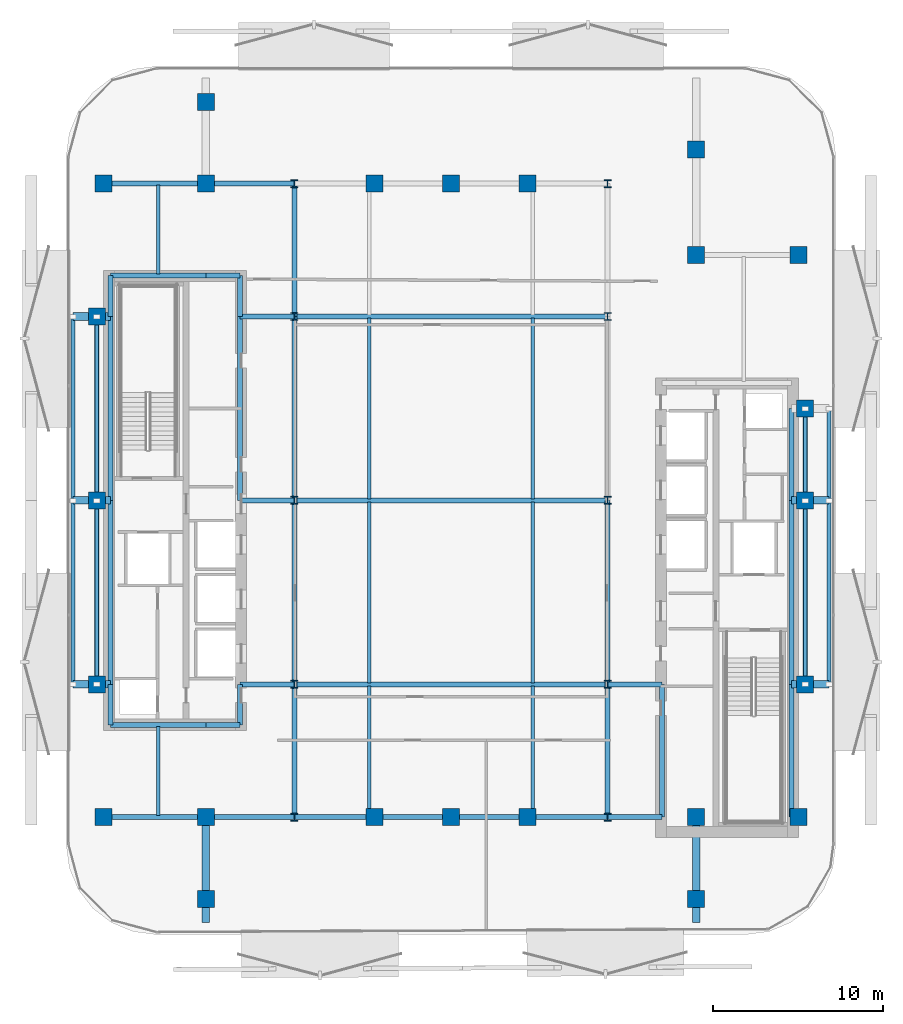
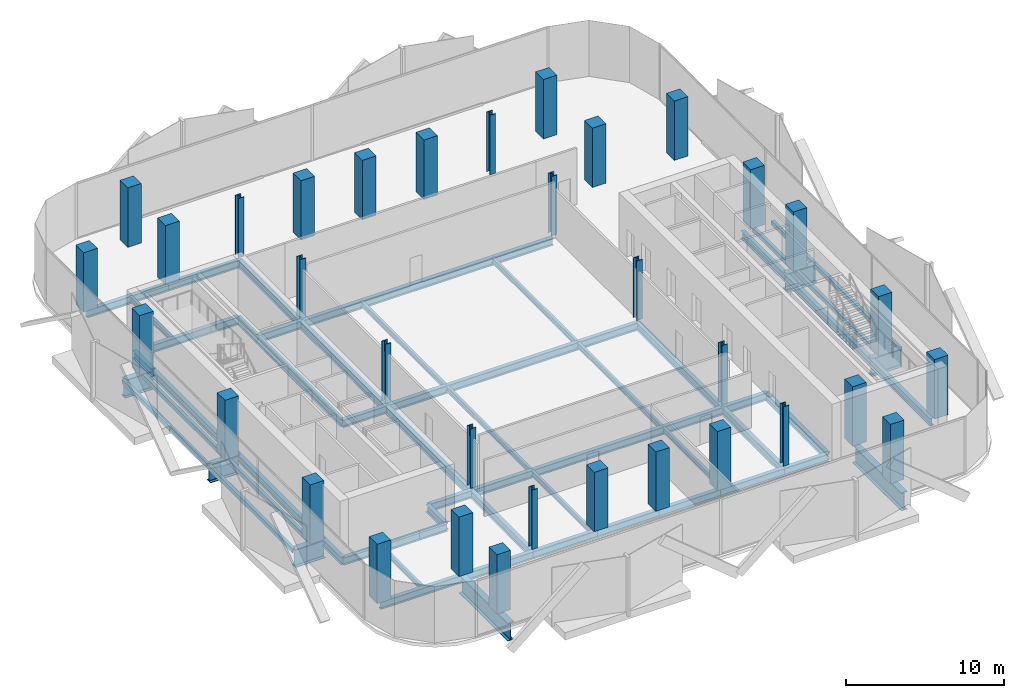
# One storey, part 1 of 14: 60 beams, 34 columns.
"""IFC4 building model written with IfcOpenShell, lengths in metres."""

from ifc_helpers import new_model, si_unit, direction, frame, origin, origin_2d, place, context, subcontext, project, spatial, rectangle, hollow_rectangle, i_section, extrude, material, material_profile, profile_set, type_object, element, save


model = new_model("IFC4")

# Units and contexts
model_context = context("Model", 3, precision=1e-05, world=origin(), true_north=direction((0.0, 1.0)))
body_context = subcontext(model_context, "Body", "Model", "MODEL_VIEW")
ifc_project = project(units=[si_unit("LENGTHUNIT", "METRE"), si_unit("AREAUNIT", "SQUARE_METRE"), si_unit("VOLUMEUNIT", "CUBIC_METRE"), si_unit("PLANEANGLEUNIT", "RADIAN"), si_unit("MASSUNIT", "GRAM", prefix="KILO")], contexts=[model_context])

# Site, building, storey
site_placement = place(None, origin())
site = spatial("IfcSite", under=ifc_project, at=site_placement, CompositionType="ELEMENT")
building_placement = place(site_placement, origin())
building = spatial("IfcBuilding", under=site, at=building_placement, Name="Khairoan Windgate Tower", CompositionType="ELEMENT")
storey_placement = place(building_placement, frame((0.0, 0.0, 160.39990234375)))
storey = spatial("IfcBuildingStorey", under=building, at=storey_placement, Name="L36", CompositionType="ELEMENT", Elevation=160.39990234375)

# Columns
ifc_material_1 = material(Name="Concrete C50/60", Category="concrete")
ifc_material_profile_1 = material_profile(ifc_material_1, rectangle(XDim=1.0, YDim=1.0, at=origin_2d()))
ifc_profile_set_1 = profile_set([ifc_material_profile_1], Name="Concrete C50/60")
column_type_1 = type_object("IfcColumnType", Name="Column C-T4 RC1000x1000", PredefinedType="COLUMN", material=ifc_profile_set_1)
for number, where, z_axis, x_axis, name in (
    (1, (-20.39990234375, -18.60009765625, 0.0), (0.0, 0.0, 1.0), (1.0, 0.0, 0.0), "Column L36-11"),
    (2, (-20.39990234375, 18.60009765625, 0.0), (0.0, 0.0, 1.0), (1.0, 0.0, 0.0), "Column L36-12"),
    (3, (20.39990234375, -18.60009765625, 0.0), (0.0, 0.0, 1.0), (1.0, 0.0, 0.0), "Column L36-13"),
    (4, (20.39990234375, 14.39990234375, 0.0), (0.0, 0.0, 1.0), (1.0, 0.0, 0.0), "Column L36-14"),
    (5, (-14.39990234375, -18.60009765625, 0.0), (0.0, 0.0, 1.0), (1.0, 0.0, 0.0), "Column L36-15"),
    (6, (-14.39990234375, 18.60009765625, 0.0), (0.0, 0.0, 1.0), (1.0, 0.0, 0.0), "Column L36-16"),
    (7, (14.39990234375, -18.60009765625, 0.0), (0.0, 0.0, 1.0), (1.0, 0.0, 0.0), "Column L36-17"),
    (8, (14.39990234375, 14.39990234375, 0.0), (0.0, 0.0, 1.0), (1.0, 0.0, 0.0), "Column L36-18"),
    (9, (-4.5, -18.60009765625, 0.0), (0.0, 0.0, 1.0), (1.0, 0.0, 0.0), "Column L36-19"),
    (10, (0.0, -18.60009765625, 0.0), (0.0, 0.0, 1.0), (1.0, 0.0, 0.0), "Column L36-20"),
    (11, (4.5, -18.60009765625, 0.0), (0.0, 0.0, 1.0), (1.0, 0.0, 0.0), "Column L36-21"),
    (12, (-4.5, 18.60009765625, 0.0), (0.0, 0.0, 1.0), (1.0, 0.0, 0.0), "Column L36-22"),
    (13, (0.0, 18.60009765625, 0.0), (0.0, 0.0, 1.0), (1.0, 0.0, 0.0), "Column L36-23"),
    (14, (4.5, 18.60009765625, 0.0), (0.0, 0.0, 1.0), (1.0, 0.0, 0.0), "Column L36-24"),
    (15, (-20.800048828125, -10.800048828125, 0.0), (0.0, 0.0, 1.0), (1.0, 0.0, 0.0), "Column L36-25"),
    (16, (-20.800048828125, 0.0, 0.0), (0.0, 0.0, 1.0), (1.0, 0.0, 0.0), "Column L36-26"),
    (17, (-20.800048828125, 10.800048828125, 0.0), (0.0, 0.0, 1.0), (1.0, 0.0, 0.0), "Column L36-27"),
    (18, (20.800048828125, -10.800048828125, 0.0), (0.0, 0.0, 1.0), (1.0, 0.0, 0.0), "Column L36-28"),
    (19, (20.800048828125, 0.0, 0.0), (0.0, 0.0, 1.0), (1.0, 0.0, 0.0), "Column L36-29"),
    (20, (20.800048828125, 5.39990234375, 0.0), (0.0, 0.0, 1.0), (1.0, 0.0, 0.0), "Column L36-30"),
    (21, (-14.39990234375, -23.39990234375, 0.0), (0.0, 0.0, 1.0), (1.0, 0.0, 0.0), "Column L36-31"),
    (22, (-14.39990234375, 23.39990234375, 0.0), (0.0, 0.0, 1.0), (1.0, 0.0, 0.0), "Column L36-32"),
    (23, (14.39990234375, -23.39990234375, 0.0), (0.0, 0.0, 1.0), (1.0, 0.0, 0.0), "Column L36-33"),
    (24, (14.39990234375, 20.60009765625, 0.0), (0.0, 0.0, 1.0), (1.0, 0.0, 0.0), "Column L36-34"),
):
    element("IfcColumn", number, at=place(storey_placement, frame(where, z_axis=z_axis, x_axis=x_axis)), inside=storey, type_object=column_type_1, Name=name, PredefinedType="COLUMN", context=body_context, shape_type="SweptSolid", body=[
        extrude(rectangle(XDim=1.0, YDim=1.0, at=origin_2d()), origin(), (0.0, 0.0, 1.0), 4.60009765625),
    ])
ifc_material_2 = material(Name="Steel S355", Category="steel")
ifc_material_profile_2 = material_profile(ifc_material_2, i_section(OverallWidth=0.4169921875, OverallDepth=0.4580078125, WebThickness=0.030029296875, FlangeThickness=0.050048828125, FilletRadius=0.02197265625, at=origin_2d()))
ifc_profile_set_2 = profile_set([ifc_material_profile_2], Name="Steel S355")
column_type_2 = type_object("IfcColumnType", Name="Steel Column SC2 H458x417x30x50", PredefinedType="COLUMN", material=ifc_profile_set_2)
for number, where, z_axis, x_axis, name in (
    (25, (-9.199951171875, -18.60009765625, 0.0), (0.0, 0.0, 1.0), (1.0, 0.0, 0.0), "Column L36-01"),
    (26, (-9.199951171875, -10.800048828125, 0.0), (0.0, 0.0, 1.0), (1.0, 0.0, 0.0), "Column L36-02"),
    (27, (-9.199951171875, 0.0, 0.0), (0.0, 0.0, 1.0), (1.0, 0.0, 0.0), "Column L36-03"),
    (28, (-9.199951171875, 10.800048828125, 0.0), (0.0, 0.0, 1.0), (1.0, 0.0, 0.0), "Column L36-04"),
    (29, (-9.199951171875, 18.60009765625, 0.0), (0.0, 0.0, 1.0), (1.0, 0.0, 0.0), "Column L36-05"),
    (30, (9.199951171875, -18.60009765625, 0.0), (0.0, 0.0, 1.0), (1.0, 0.0, 0.0), "Column L36-06"),
    (31, (9.199951171875, -10.800048828125, 0.0), (0.0, 0.0, 1.0), (1.0, 0.0, 0.0), "Column L36-07"),
    (32, (9.199951171875, 0.0, 0.0), (0.0, 0.0, 1.0), (1.0, 0.0, 0.0), "Column L36-08"),
    (33, (9.199951171875, 10.800048828125, 0.0), (0.0, 0.0, 1.0), (1.0, 0.0, 0.0), "Column L36-09"),
    (34, (9.199951171875, 18.60009765625, 0.0), (0.0, 0.0, 1.0), (1.0, 0.0, 0.0), "Column L36-10"),
):
    element("IfcColumn", number, at=place(storey_placement, frame(where, z_axis=z_axis, x_axis=x_axis)), inside=storey, type_object=column_type_2, Name=name, PredefinedType="COLUMN", context=body_context, shape_type="SweptSolid", body=[
        extrude(i_section(OverallWidth=0.4169921875, OverallDepth=0.4580078125, WebThickness=0.030029296875, FlangeThickness=0.050048828125, FilletRadius=0.02197265625, at=origin_2d()), origin(), (0.0, 0.0, 1.0), 4.60009765625),
    ])

# Beams
ifc_material_3 = material(Name="Steel S355", Category="steel")
ifc_material_profile_3 = material_profile(ifc_material_3, i_section(OverallWidth=0.300048828125, OverallDepth=0.587890625, WebThickness=0.011962890625, FlangeThickness=0.02001953125, FilletRadius=0.02392578125, at=origin_2d()))
ifc_profile_set_3 = profile_set([ifc_material_profile_3], Name="Steel S355")
beam_type_1 = type_object("IfcBeamType", Name="Beam B-G4 H588x300x12x20", PredefinedType="BEAM", material=ifc_profile_set_3)
beam_1_placement = place(storey_placement, frame((-20.39990234375, -18.60009765625, -0.553955078125), z_axis=(1.0, 0.0, 0.0), x_axis=(0.0, 1.0, 0.0)))
element("IfcBeam", 35, at=beam_1_placement, inside=storey, type_object=beam_type_1, Name="L36 E-W Primary Girder 01", PredefinedType="BEAM", context=body_context, shape_type="SweptSolid", body=[
    extrude(i_section(OverallWidth=0.300048828125, OverallDepth=0.587890625, WebThickness=0.011962890625, FlangeThickness=0.02001953125, FilletRadius=0.02392578125, at=origin_2d()), origin(), (0.0, 0.0, 1.0), 6.0),
])
beam_2_placement = place(storey_placement, frame((-14.39990234375, -18.60009765625, -0.553955078125), z_axis=(1.0, 0.0, 0.0), x_axis=(0.0, 1.0, 0.0)))
element("IfcBeam", 36, at=beam_2_placement, inside=storey, type_object=beam_type_1, Name="L36 E-W Primary Girder 02", PredefinedType="BEAM", context=body_context, shape_type="SweptSolid", body=[
    extrude(i_section(OverallWidth=0.300048828125, OverallDepth=0.587890625, WebThickness=0.011962890625, FlangeThickness=0.02001953125, FilletRadius=0.02392578125, at=origin_2d()), origin(), (0.0, 0.0, 1.0), 5.199951171875),
])
beam_3_placement = place(storey_placement, frame((-9.199951171875, -18.60009765625, -0.553955078125), z_axis=(1.0, 0.0, 0.0), x_axis=(0.0, 1.0, 0.0)))
element("IfcBeam", 37, at=beam_3_placement, inside=storey, type_object=beam_type_1, Name="L36 E-W Primary Girder 03", PredefinedType="BEAM", context=body_context, shape_type="SweptSolid", body=[
    extrude(i_section(OverallWidth=0.300048828125, OverallDepth=0.587890625, WebThickness=0.011962890625, FlangeThickness=0.02001953125, FilletRadius=0.02392578125, at=origin_2d()), origin(), (0.0, 0.0, 1.0), 4.699951171875),
])
for number, where, z_axis, x_axis, name in (
    (38, (-4.5, -18.60009765625, -0.553955078125), (1.0, 0.0, 0.0), (0.0, 1.0, 0.0), "L36 E-W Primary Girder 04"),
    (39, (0.0, -18.60009765625, -0.553955078125), (1.0, 0.0, 0.0), (0.0, 1.0, 0.0), "L36 E-W Primary Girder 05"),
):
    element("IfcBeam", number, at=place(storey_placement, frame(where, z_axis=z_axis, x_axis=x_axis)), inside=storey, type_object=beam_type_1, Name=name, PredefinedType="BEAM", context=body_context, shape_type="SweptSolid", body=[
        extrude(i_section(OverallWidth=0.300048828125, OverallDepth=0.587890625, WebThickness=0.011962890625, FlangeThickness=0.02001953125, FilletRadius=0.02392578125, at=origin_2d()), origin(), (0.0, 0.0, 1.0), 4.5),
    ])
beam_4_placement = place(storey_placement, frame((4.5, -18.60009765625, -0.553955078125), z_axis=(1.0, 0.0, 0.0), x_axis=(0.0, 1.0, 0.0)))
element("IfcBeam", 40, at=beam_4_placement, inside=storey, type_object=beam_type_1, Name="L36 E-W Primary Girder 06", PredefinedType="BEAM", context=body_context, shape_type="SweptSolid", body=[
    extrude(i_section(OverallWidth=0.300048828125, OverallDepth=0.587890625, WebThickness=0.011962890625, FlangeThickness=0.02001953125, FilletRadius=0.02392578125, at=origin_2d()), origin(), (0.0, 0.0, 1.0), 4.699951171875),
])
beam_5_placement = place(storey_placement, frame((9.199951171875, -18.60009765625, -0.553955078125), z_axis=(1.0, 0.0, 0.0), x_axis=(0.0, 1.0, 0.0)))
element("IfcBeam", 41, at=beam_5_placement, inside=storey, type_object=beam_type_1, Name="L36 E-W Primary Girder 07", PredefinedType="BEAM", context=body_context, shape_type="SweptSolid", body=[
    extrude(i_section(OverallWidth=0.300048828125, OverallDepth=0.587890625, WebThickness=0.011962890625, FlangeThickness=0.02001953125, FilletRadius=0.02392578125, at=origin_2d()), origin(), (0.0, 0.0, 1.0), 3.199951171875),
])
beam_6_placement = place(storey_placement, frame((-20.0, -13.199951171875, -0.553955078125), z_axis=(1.0, 0.0, 0.0), x_axis=(0.0, 1.0, 0.0)))
element("IfcBeam", 42, at=beam_6_placement, inside=storey, type_object=beam_type_1, Name="L36 E-W Primary Girder 08", PredefinedType="BEAM", context=body_context, shape_type="SweptSolid", body=[
    extrude(i_section(OverallWidth=0.300048828125, OverallDepth=0.587890625, WebThickness=0.011962890625, FlangeThickness=0.02001953125, FilletRadius=0.02392578125, at=origin_2d()), origin(), (0.0, 0.0, 1.0), 5.60009765625),
])
beam_7_placement = place(storey_placement, frame((-14.39990234375, -13.199951171875, -0.553955078125), z_axis=(1.0, 0.0, 0.0), x_axis=(0.0, 1.0, 0.0)))
element("IfcBeam", 43, at=beam_7_placement, inside=storey, type_object=beam_type_1, Name="L36 E-W Primary Girder 09", PredefinedType="BEAM", context=body_context, shape_type="SweptSolid", body=[
    extrude(i_section(OverallWidth=0.300048828125, OverallDepth=0.587890625, WebThickness=0.011962890625, FlangeThickness=0.02001953125, FilletRadius=0.02392578125, at=origin_2d()), origin(), (0.0, 0.0, 1.0), 2.0),
])
beam_8_placement = place(storey_placement, frame((-12.39990234375, -10.800048828125, -0.553955078125), z_axis=(1.0, 0.0, 0.0), x_axis=(0.0, 1.0, 0.0)))
element("IfcBeam", 44, at=beam_8_placement, inside=storey, type_object=beam_type_1, Name="L36 E-W Primary Girder 10", PredefinedType="BEAM", context=body_context, shape_type="SweptSolid", body=[
    extrude(i_section(OverallWidth=0.300048828125, OverallDepth=0.587890625, WebThickness=0.011962890625, FlangeThickness=0.02001953125, FilletRadius=0.02392578125, at=origin_2d()), origin(), (0.0, 0.0, 1.0), 3.199951171875),
])
beam_9_placement = place(storey_placement, frame((-9.199951171875, -10.800048828125, -0.553955078125), z_axis=(1.0, 0.0, 0.0), x_axis=(0.0, 1.0, 0.0)))
element("IfcBeam", 45, at=beam_9_placement, inside=storey, type_object=beam_type_1, Name="L36 E-W Primary Girder 11", PredefinedType="BEAM", context=body_context, shape_type="SweptSolid", body=[
    extrude(i_section(OverallWidth=0.300048828125, OverallDepth=0.587890625, WebThickness=0.011962890625, FlangeThickness=0.02001953125, FilletRadius=0.02392578125, at=origin_2d()), origin(), (0.0, 0.0, 1.0), 18.39990234375),
])
for number, where, z_axis, x_axis, name in (
    (46, (9.199951171875, -10.800048828125, -0.553955078125), (1.0, 0.0, 0.0), (0.0, 1.0, 0.0), "L36 E-W Primary Girder 12"),
    (47, (-12.39990234375, 0.0, -0.553955078125), (1.0, 0.0, 0.0), (0.0, 1.0, 0.0), "L36 E-W Primary Girder 13"),
):
    element("IfcBeam", number, at=place(storey_placement, frame(where, z_axis=z_axis, x_axis=x_axis)), inside=storey, type_object=beam_type_1, Name=name, PredefinedType="BEAM", context=body_context, shape_type="SweptSolid", body=[
        extrude(i_section(OverallWidth=0.300048828125, OverallDepth=0.587890625, WebThickness=0.011962890625, FlangeThickness=0.02001953125, FilletRadius=0.02392578125, at=origin_2d()), origin(), (0.0, 0.0, 1.0), 3.199951171875),
    ])
beam_10_placement = place(storey_placement, frame((-9.199951171875, 0.0, -0.553955078125), z_axis=(1.0, 0.0, 0.0), x_axis=(0.0, 1.0, 0.0)))
element("IfcBeam", 48, at=beam_10_placement, inside=storey, type_object=beam_type_1, Name="L36 E-W Primary Girder 14", PredefinedType="BEAM", context=body_context, shape_type="SweptSolid", body=[
    extrude(i_section(OverallWidth=0.300048828125, OverallDepth=0.587890625, WebThickness=0.011962890625, FlangeThickness=0.02001953125, FilletRadius=0.02392578125, at=origin_2d()), origin(), (0.0, 0.0, 1.0), 18.39990234375),
])
beam_11_placement = place(storey_placement, frame((-12.39990234375, 10.800048828125, -0.553955078125), z_axis=(1.0, 0.0, 0.0), x_axis=(0.0, 1.0, 0.0)))
element("IfcBeam", 49, at=beam_11_placement, inside=storey, type_object=beam_type_1, Name="L36 E-W Primary Girder 17", PredefinedType="BEAM", context=body_context, shape_type="SweptSolid", body=[
    extrude(i_section(OverallWidth=0.300048828125, OverallDepth=0.587890625, WebThickness=0.011962890625, FlangeThickness=0.02001953125, FilletRadius=0.02392578125, at=origin_2d()), origin(), (0.0, 0.0, 1.0), 3.199951171875),
])
beam_12_placement = place(storey_placement, frame((-9.199951171875, 10.800048828125, -0.553955078125), z_axis=(1.0, 0.0, 0.0), x_axis=(0.0, 1.0, 0.0)))
element("IfcBeam", 50, at=beam_12_placement, inside=storey, type_object=beam_type_1, Name="L36 E-W Primary Girder 18", PredefinedType="BEAM", context=body_context, shape_type="SweptSolid", body=[
    extrude(i_section(OverallWidth=0.300048828125, OverallDepth=0.587890625, WebThickness=0.011962890625, FlangeThickness=0.02001953125, FilletRadius=0.02392578125, at=origin_2d()), origin(), (0.0, 0.0, 1.0), 18.39990234375),
])
beam_13_placement = place(storey_placement, frame((-20.0, 13.199951171875, -0.553955078125), z_axis=(1.0, 0.0, 0.0), x_axis=(0.0, 1.0, 0.0)))
element("IfcBeam", 51, at=beam_13_placement, inside=storey, type_object=beam_type_1, Name="L36 E-W Primary Girder 19", PredefinedType="BEAM", context=body_context, shape_type="SweptSolid", body=[
    extrude(i_section(OverallWidth=0.300048828125, OverallDepth=0.587890625, WebThickness=0.011962890625, FlangeThickness=0.02001953125, FilletRadius=0.02392578125, at=origin_2d()), origin(), (0.0, 0.0, 1.0), 5.60009765625),
])
beam_14_placement = place(storey_placement, frame((-14.39990234375, 13.199951171875, -0.553955078125), z_axis=(1.0, 0.0, 0.0), x_axis=(0.0, 1.0, 0.0)))
element("IfcBeam", 52, at=beam_14_placement, inside=storey, type_object=beam_type_1, Name="L36 E-W Primary Girder 20", PredefinedType="BEAM", context=body_context, shape_type="SweptSolid", body=[
    extrude(i_section(OverallWidth=0.300048828125, OverallDepth=0.587890625, WebThickness=0.011962890625, FlangeThickness=0.02001953125, FilletRadius=0.02392578125, at=origin_2d()), origin(), (0.0, 0.0, 1.0), 2.0),
])
beam_15_placement = place(storey_placement, frame((-20.39990234375, 18.60009765625, -0.553955078125), z_axis=(1.0, 0.0, 0.0), x_axis=(0.0, 1.0, 0.0)))
element("IfcBeam", 53, at=beam_15_placement, inside=storey, type_object=beam_type_1, Name="L36 E-W Primary Girder 22", PredefinedType="BEAM", context=body_context, shape_type="SweptSolid", body=[
    extrude(i_section(OverallWidth=0.300048828125, OverallDepth=0.587890625, WebThickness=0.011962890625, FlangeThickness=0.02001953125, FilletRadius=0.02392578125, at=origin_2d()), origin(), (0.0, 0.0, 1.0), 6.0),
])
beam_16_placement = place(storey_placement, frame((-14.39990234375, 18.60009765625, -0.553955078125), z_axis=(1.0, 0.0, 0.0), x_axis=(0.0, 1.0, 0.0)))
element("IfcBeam", 54, at=beam_16_placement, inside=storey, type_object=beam_type_1, Name="L36 E-W Primary Girder 23", PredefinedType="BEAM", context=body_context, shape_type="SweptSolid", body=[
    extrude(i_section(OverallWidth=0.300048828125, OverallDepth=0.587890625, WebThickness=0.011962890625, FlangeThickness=0.02001953125, FilletRadius=0.02392578125, at=origin_2d()), origin(), (0.0, 0.0, 1.0), 5.199951171875),
])
beam_17_placement = place(storey_placement, frame((-20.0, -13.199951171875, -0.553955078125), z_axis=(0.0, 1.0, 0.0), x_axis=(-1.0, 0.0, 0.0)))
element("IfcBeam", 55, at=beam_17_placement, inside=storey, type_object=beam_type_1, Name="L36 N-S Primary Beam 32", PredefinedType="BEAM", context=body_context, shape_type="SweptSolid", body=[
    extrude(i_section(OverallWidth=0.300048828125, OverallDepth=0.587890625, WebThickness=0.011962890625, FlangeThickness=0.02001953125, FilletRadius=0.02392578125, at=origin_2d()), origin(), (0.0, 0.0, 1.0), 2.39990234375),
])
for number, where, z_axis, x_axis, name in (
    (56, (-20.0, -10.800048828125, -0.553955078125), (0.0, 1.0, 0.0), (-1.0, 0.0, 0.0), "L36 N-S Primary Beam 33"),
    (57, (-20.0, 0.0, -0.553955078125), (0.0, 1.0, 0.0), (-1.0, 0.0, 0.0), "L36 N-S Primary Beam 34"),
):
    element("IfcBeam", number, at=place(storey_placement, frame(where, z_axis=z_axis, x_axis=x_axis)), inside=storey, type_object=beam_type_1, Name=name, PredefinedType="BEAM", context=body_context, shape_type="SweptSolid", body=[
        extrude(i_section(OverallWidth=0.300048828125, OverallDepth=0.587890625, WebThickness=0.011962890625, FlangeThickness=0.02001953125, FilletRadius=0.02392578125, at=origin_2d()), origin(), (0.0, 0.0, 1.0), 10.800048828125),
    ])
for number, where, z_axis, x_axis, name in (
    (58, (-20.0, 10.800048828125, -0.553955078125), (0.0, 1.0, 0.0), (-1.0, 0.0, 0.0), "L36 N-S Primary Beam 35"),
    (59, (-12.39990234375, -13.199951171875, -0.553955078125), (0.0, 1.0, 0.0), (-1.0, 0.0, 0.0), "L36 N-S Primary Beam 36"),
):
    element("IfcBeam", number, at=place(storey_placement, frame(where, z_axis=z_axis, x_axis=x_axis)), inside=storey, type_object=beam_type_1, Name=name, PredefinedType="BEAM", context=body_context, shape_type="SweptSolid", body=[
        extrude(i_section(OverallWidth=0.300048828125, OverallDepth=0.587890625, WebThickness=0.011962890625, FlangeThickness=0.02001953125, FilletRadius=0.02392578125, at=origin_2d()), origin(), (0.0, 0.0, 1.0), 2.39990234375),
    ])
beam_18_placement = place(storey_placement, frame((-12.39990234375, 0.0, -0.553955078125), z_axis=(0.0, 1.0, 0.0), x_axis=(-1.0, 0.0, 0.0)))
element("IfcBeam", 60, at=beam_18_placement, inside=storey, type_object=beam_type_1, Name="L36 N-S Primary Beam 37", PredefinedType="BEAM", context=body_context, shape_type="SweptSolid", body=[
    extrude(i_section(OverallWidth=0.300048828125, OverallDepth=0.587890625, WebThickness=0.011962890625, FlangeThickness=0.02001953125, FilletRadius=0.02392578125, at=origin_2d()), origin(), (0.0, 0.0, 1.0), 10.800048828125),
])
beam_19_placement = place(storey_placement, frame((-12.39990234375, 10.800048828125, -0.553955078125), z_axis=(0.0, 1.0, 0.0), x_axis=(-1.0, 0.0, 0.0)))
element("IfcBeam", 61, at=beam_19_placement, inside=storey, type_object=beam_type_1, Name="L36 N-S Primary Beam 38", PredefinedType="BEAM", context=body_context, shape_type="SweptSolid", body=[
    extrude(i_section(OverallWidth=0.300048828125, OverallDepth=0.587890625, WebThickness=0.011962890625, FlangeThickness=0.02001953125, FilletRadius=0.02392578125, at=origin_2d()), origin(), (0.0, 0.0, 1.0), 2.39990234375),
])
beam_20_placement = place(storey_placement, frame((-9.199951171875, -18.60009765625, -0.553955078125), z_axis=(0.0, 1.0, 0.0), x_axis=(-1.0, 0.0, 0.0)))
element("IfcBeam", 62, at=beam_20_placement, inside=storey, type_object=beam_type_1, Name="L36 N-S Primary Beam 39", PredefinedType="BEAM", context=body_context, shape_type="SweptSolid", body=[
    extrude(i_section(OverallWidth=0.300048828125, OverallDepth=0.587890625, WebThickness=0.011962890625, FlangeThickness=0.02001953125, FilletRadius=0.02392578125, at=origin_2d()), origin(), (0.0, 0.0, 1.0), 7.800048828125),
])
for number, where, z_axis, x_axis, name in (
    (63, (-9.199951171875, -10.800048828125, -0.553955078125), (0.0, 1.0, 0.0), (-1.0, 0.0, 0.0), "L36 N-S Primary Beam 40"),
    (64, (-9.199951171875, 0.0, -0.553955078125), (0.0, 1.0, 0.0), (-1.0, 0.0, 0.0), "L36 N-S Primary Beam 41"),
):
    element("IfcBeam", number, at=place(storey_placement, frame(where, z_axis=z_axis, x_axis=x_axis)), inside=storey, type_object=beam_type_1, Name=name, PredefinedType="BEAM", context=body_context, shape_type="SweptSolid", body=[
        extrude(i_section(OverallWidth=0.300048828125, OverallDepth=0.587890625, WebThickness=0.011962890625, FlangeThickness=0.02001953125, FilletRadius=0.02392578125, at=origin_2d()), origin(), (0.0, 0.0, 1.0), 10.800048828125),
    ])
for number, where, z_axis, x_axis, name in (
    (65, (-9.199951171875, 10.800048828125, -0.553955078125), (0.0, 1.0, 0.0), (-1.0, 0.0, 0.0), "L36 N-S Primary Beam 42"),
    (66, (9.199951171875, -18.60009765625, -0.553955078125), (0.0, 1.0, 0.0), (-1.0, 0.0, 0.0), "L36 N-S Primary Beam 43"),
):
    element("IfcBeam", number, at=place(storey_placement, frame(where, z_axis=z_axis, x_axis=x_axis)), inside=storey, type_object=beam_type_1, Name=name, PredefinedType="BEAM", context=body_context, shape_type="SweptSolid", body=[
        extrude(i_section(OverallWidth=0.300048828125, OverallDepth=0.587890625, WebThickness=0.011962890625, FlangeThickness=0.02001953125, FilletRadius=0.02392578125, at=origin_2d()), origin(), (0.0, 0.0, 1.0), 7.800048828125),
    ])
beam_21_placement = place(storey_placement, frame((9.199951171875, -10.800048828125, -0.553955078125), z_axis=(0.0, 1.0, 0.0), x_axis=(-1.0, 0.0, 0.0)))
element("IfcBeam", 67, at=beam_21_placement, inside=storey, type_object=beam_type_1, Name="L36 N-S Primary Beam 44", PredefinedType="BEAM", context=body_context, shape_type="SweptSolid", body=[
    extrude(i_section(OverallWidth=0.300048828125, OverallDepth=0.587890625, WebThickness=0.011962890625, FlangeThickness=0.02001953125, FilletRadius=0.02392578125, at=origin_2d()), origin(), (0.0, 0.0, 1.0), 10.800048828125),
])
for number, where, z_axis, x_axis, name in (
    (68, (12.39990234375, -18.60009765625, -0.553955078125), (0.0, 1.0, 0.0), (-1.0, 0.0, 0.0), "L36 N-S Primary Beam 47"),
    (69, (20.0, -18.60009765625, -0.553955078125), (0.0, 1.0, 0.0), (-1.0, 0.0, 0.0), "L36 N-S Primary Beam 48"),
):
    element("IfcBeam", number, at=place(storey_placement, frame(where, z_axis=z_axis, x_axis=x_axis)), inside=storey, type_object=beam_type_1, Name=name, PredefinedType="BEAM", context=body_context, shape_type="SweptSolid", body=[
        extrude(i_section(OverallWidth=0.300048828125, OverallDepth=0.587890625, WebThickness=0.011962890625, FlangeThickness=0.02001953125, FilletRadius=0.02392578125, at=origin_2d()), origin(), (0.0, 0.0, 1.0), 7.800048828125),
    ])
beam_22_placement = place(storey_placement, frame((20.0, -10.800048828125, -0.553955078125), z_axis=(0.0, 1.0, 0.0), x_axis=(-1.0, 0.0, 0.0)))
element("IfcBeam", 70, at=beam_22_placement, inside=storey, type_object=beam_type_1, Name="L36 N-S Primary Beam 49", PredefinedType="BEAM", context=body_context, shape_type="SweptSolid", body=[
    extrude(i_section(OverallWidth=0.300048828125, OverallDepth=0.587890625, WebThickness=0.011962890625, FlangeThickness=0.02001953125, FilletRadius=0.02392578125, at=origin_2d()), origin(), (0.0, 0.0, 1.0), 10.800048828125),
])
beam_23_placement = place(storey_placement, frame((20.0, 0.0, -0.553955078125), z_axis=(0.0, 1.0, 0.0), x_axis=(-1.0, 0.0, 0.0)))
element("IfcBeam", 71, at=beam_23_placement, inside=storey, type_object=beam_type_1, Name="L36 N-S Primary Beam 50", PredefinedType="BEAM", context=body_context, shape_type="SweptSolid", body=[
    extrude(i_section(OverallWidth=0.300048828125, OverallDepth=0.587890625, WebThickness=0.011962890625, FlangeThickness=0.02001953125, FilletRadius=0.02392578125, at=origin_2d()), origin(), (0.0, 0.0, 1.0), 5.39990234375),
])
ifc_material_4 = material(Name="Steel S355", Category="steel")
ifc_material_profile_4 = material_profile(ifc_material_4, i_section(OverallWidth=0.199951171875, OverallDepth=0.39990234375, WebThickness=0.008056640625, FlangeThickness=0.012939453125, FilletRadius=0.01611328125, at=origin_2d()))
ifc_profile_set_4 = profile_set([ifc_material_profile_4], Name="Steel S355")
beam_type_2 = type_object("IfcBeamType", Name="Beam J-S4 H400x200x8x13", PredefinedType="JOIST", material=ifc_profile_set_4)
for number, where, z_axis, x_axis, name in (
    (72, (-17.199951171875, -18.510009765625, -0.4599609375), (0.0, 1.0, 0.0), (-1.0, 0.0, 0.0), "L36 Secondary Floor Joist 01"),
    (73, (-17.199951171875, 13.2900390625, -0.4599609375), (0.0, 1.0, 0.0), (-1.0, 0.0, 0.0), "L36 Secondary Floor Joist 02"),
):
    element("IfcBeam", number, at=place(storey_placement, frame(where, z_axis=z_axis, x_axis=x_axis)), inside=storey, type_object=beam_type_2, Name=name, PredefinedType="JOIST", context=body_context, shape_type="SweptSolid", body=[
        extrude(i_section(OverallWidth=0.199951171875, OverallDepth=0.39990234375, WebThickness=0.008056640625, FlangeThickness=0.012939453125, FilletRadius=0.01611328125, at=origin_2d()), origin(), (0.0, 0.0, 1.0), 5.219970703125),
    ])
beam_24_placement = place(storey_placement, frame((-4.800048828125, -18.510009765625, -0.4599609375), z_axis=(0.0, 1.0, 0.0), x_axis=(-1.0, 0.0, 0.0)))
element("IfcBeam", 74, at=beam_24_placement, inside=storey, type_object=beam_type_2, Name="L36 Secondary Floor Joist 03", PredefinedType="JOIST", context=body_context, shape_type="SweptSolid", body=[
    extrude(i_section(OverallWidth=0.199951171875, OverallDepth=0.39990234375, WebThickness=0.008056640625, FlangeThickness=0.012939453125, FilletRadius=0.01611328125, at=origin_2d()), origin(), (0.0, 0.0, 1.0), 7.6201171875),
])
for number, where, z_axis, x_axis, name in (
    (75, (-4.800048828125, -10.7099609375, -0.4599609375), (0.0, 1.0, 0.0), (-1.0, 0.0, 0.0), "L36 Secondary Floor Joist 04"),
    (76, (-4.800048828125, 0.090087890625, -0.4599609375), (0.0, 1.0, 0.0), (-1.0, 0.0, 0.0), "L36 Secondary Floor Joist 05"),
):
    element("IfcBeam", number, at=place(storey_placement, frame(where, z_axis=z_axis, x_axis=x_axis)), inside=storey, type_object=beam_type_2, Name=name, PredefinedType="JOIST", context=body_context, shape_type="SweptSolid", body=[
        extrude(i_section(OverallWidth=0.199951171875, OverallDepth=0.39990234375, WebThickness=0.008056640625, FlangeThickness=0.012939453125, FilletRadius=0.01611328125, at=origin_2d()), origin(), (0.0, 0.0, 1.0), 10.619873046875),
    ])
beam_25_placement = place(storey_placement, frame((4.800048828125, -18.510009765625, -0.4599609375), z_axis=(0.0, 1.0, 0.0), x_axis=(-1.0, 0.0, 0.0)))
element("IfcBeam", 77, at=beam_25_placement, inside=storey, type_object=beam_type_2, Name="L36 Secondary Floor Joist 07", PredefinedType="JOIST", context=body_context, shape_type="SweptSolid", body=[
    extrude(i_section(OverallWidth=0.199951171875, OverallDepth=0.39990234375, WebThickness=0.008056640625, FlangeThickness=0.012939453125, FilletRadius=0.01611328125, at=origin_2d()), origin(), (0.0, 0.0, 1.0), 7.6201171875),
])
for number, where, z_axis, x_axis, name in (
    (78, (4.800048828125, -10.7099609375, -0.4599609375), (0.0, 1.0, 0.0), (-1.0, 0.0, 0.0), "L36 Secondary Floor Joist 08"),
    (79, (4.800048828125, 0.090087890625, -0.4599609375), (0.0, 1.0, 0.0), (-1.0, 0.0, 0.0), "L36 Secondary Floor Joist 09"),
):
    element("IfcBeam", number, at=place(storey_placement, frame(where, z_axis=z_axis, x_axis=x_axis)), inside=storey, type_object=beam_type_2, Name=name, PredefinedType="JOIST", context=body_context, shape_type="SweptSolid", body=[
        extrude(i_section(OverallWidth=0.199951171875, OverallDepth=0.39990234375, WebThickness=0.008056640625, FlangeThickness=0.012939453125, FilletRadius=0.01611328125, at=origin_2d()), origin(), (0.0, 0.0, 1.0), 10.619873046875),
    ])
ifc_material_5 = material(Name="Steel S355", Category="steel")
ifc_material_profile_5 = material_profile(ifc_material_5, hollow_rectangle(XDim=0.25, YDim=0.35009765625, WallThickness=0.012451171875, InnerFilletRadius=0.012451171875, OuterFilletRadius=0.02490234375, at=origin_2d()))
ifc_profile_set_5 = profile_set([ifc_material_profile_5], Name="Steel S355")
beam_type_3 = type_object("IfcBeamType", Name="Beam SP-B2 RHS350x250x12.5", PredefinedType="SPANDREL", material=ifc_profile_set_5)
for number, where, z_axis, x_axis, name in (
    (80, (-22.199951171875, -10.800048828125, -0.434814453125), (0.0, 1.0, 0.0), (-1.0, 0.0, 0.0), "L36 Spandrel Beam 28"),
    (81, (-22.199951171875, 0.0, -0.434814453125), (0.0, 1.0, 0.0), (-1.0, 0.0, 0.0), "L36 Spandrel Beam 29"),
    (82, (-20.800048828125, -10.800048828125, -0.434814453125), (0.0, 1.0, 0.0), (-1.0, 0.0, 0.0), "L36 Spandrel Beam 30"),
    (83, (-20.800048828125, 0.0, -0.434814453125), (0.0, 1.0, 0.0), (-1.0, 0.0, 0.0), "L36 Spandrel Beam 31"),
    (84, (20.800048828125, -10.800048828125, -0.434814453125), (0.0, 1.0, 0.0), (-1.0, 0.0, 0.0), "L36 Spandrel Beam 51"),
):
    element("IfcBeam", number, at=place(storey_placement, frame(where, z_axis=z_axis, x_axis=x_axis)), inside=storey, type_object=beam_type_3, Name=name, PredefinedType="SPANDREL", context=body_context, shape_type="SweptSolid", body=[
        extrude(hollow_rectangle(XDim=0.25, YDim=0.35009765625, WallThickness=0.012451171875, InnerFilletRadius=0.012451171875, OuterFilletRadius=0.02490234375, at=origin_2d()), origin(), (0.0, 0.0, 1.0), 10.800048828125),
    ])
beam_26_placement = place(storey_placement, frame((20.800048828125, 0.0, -0.434814453125), z_axis=(0.0, 1.0, 0.0), x_axis=(-1.0, 0.0, 0.0)))
element("IfcBeam", 85, at=beam_26_placement, inside=storey, type_object=beam_type_3, Name="L36 Spandrel Beam 52", PredefinedType="SPANDREL", context=body_context, shape_type="SweptSolid", body=[
    extrude(hollow_rectangle(XDim=0.25, YDim=0.35009765625, WallThickness=0.012451171875, InnerFilletRadius=0.012451171875, OuterFilletRadius=0.02490234375, at=origin_2d()), origin(), (0.0, 0.0, 1.0), 5.39990234375),
])
beam_27_placement = place(storey_placement, frame((22.199951171875, -10.800048828125, -0.434814453125), z_axis=(0.0, 1.0, 0.0), x_axis=(-1.0, 0.0, 0.0)))
element("IfcBeam", 86, at=beam_27_placement, inside=storey, type_object=beam_type_3, Name="L36 Spandrel Beam 53", PredefinedType="SPANDREL", context=body_context, shape_type="SweptSolid", body=[
    extrude(hollow_rectangle(XDim=0.25, YDim=0.35009765625, WallThickness=0.012451171875, InnerFilletRadius=0.012451171875, OuterFilletRadius=0.02490234375, at=origin_2d()), origin(), (0.0, 0.0, 1.0), 10.800048828125),
])
beam_28_placement = place(storey_placement, frame((22.199951171875, 0.0, -0.434814453125), z_axis=(0.0, 1.0, 0.0), x_axis=(-1.0, 0.0, 0.0)))
element("IfcBeam", 87, at=beam_28_placement, inside=storey, type_object=beam_type_3, Name="L36 Spandrel Beam 54", PredefinedType="SPANDREL", context=body_context, shape_type="SweptSolid", body=[
    extrude(hollow_rectangle(XDim=0.25, YDim=0.35009765625, WallThickness=0.012451171875, InnerFilletRadius=0.012451171875, OuterFilletRadius=0.02490234375, at=origin_2d()), origin(), (0.0, 0.0, 1.0), 5.39990234375),
])
ifc_material_6 = material(Name="Steel S355", Category="steel")
ifc_material_profile_6 = material_profile(ifc_material_6, i_section(OverallWidth=0.449951171875, OverallDepth=1.39990234375, WebThickness=0.02392578125, FlangeThickness=0.0400390625, FilletRadius=0.02392578125, at=origin_2d()))
ifc_profile_set_6 = profile_set([ifc_material_profile_6], Name="Steel S355")
beam_type_4 = type_object("IfcBeamType", Name="Setback Transfer Girder STG1 PG1400x450x24x40", PredefinedType="BEAM", material=ifc_profile_set_6)
for number, where, z_axis, x_axis, name in (
    (88, (-22.199951171875, -10.800048828125, -0.9599609375), (1.0, 0.0, 0.0), (0.0, 1.0, 0.0), "Zone-3 Setback Transfer Girder STG1-01"),
    (89, (-22.199951171875, 0.0, -0.9599609375), (1.0, 0.0, 0.0), (0.0, 1.0, 0.0), "Zone-3 Setback Transfer Girder STG1-02"),
    (90, (-22.199951171875, 10.800048828125, -0.9599609375), (1.0, 0.0, 0.0), (0.0, 1.0, 0.0), "Zone-3 Setback Transfer Girder STG1-03"),
    (91, (20.0, -10.800048828125, -0.9599609375), (1.0, 0.0, 0.0), (0.0, 1.0, 0.0), "Zone-3 Setback Transfer Girder STG1-04"),
    (92, (20.0, 0.0, -0.9599609375), (1.0, 0.0, 0.0), (0.0, 1.0, 0.0), "Zone-3 Setback Transfer Girder STG1-05"),
):
    element("IfcBeam", number, at=place(storey_placement, frame(where, z_axis=z_axis, x_axis=x_axis)), inside=storey, type_object=beam_type_4, Name=name, PredefinedType="BEAM", context=body_context, shape_type="SweptSolid", body=[
        extrude(i_section(OverallWidth=0.449951171875, OverallDepth=1.39990234375, WebThickness=0.02392578125, FlangeThickness=0.0400390625, FilletRadius=0.02392578125, at=origin_2d()), origin(), (0.0, 0.0, 1.0), 2.199951171875),
    ])
for number, where, z_axis, x_axis, name in (
    (93, (-14.39990234375, -24.800048828125, -0.9599609375), (0.0, 1.0, 0.0), (-1.0, 0.0, 0.0), "Zone-3 Setback Transfer Girder STG1-07"),
    (94, (14.39990234375, -24.800048828125, -0.9599609375), (0.0, 1.0, 0.0), (-1.0, 0.0, 0.0), "Zone-3 Setback Transfer Girder STG1-09"),
):
    element("IfcBeam", number, at=place(storey_placement, frame(where, z_axis=z_axis, x_axis=x_axis)), inside=storey, type_object=beam_type_4, Name=name, PredefinedType="BEAM", context=body_context, shape_type="SweptSolid", body=[
        extrude(i_section(OverallWidth=0.449951171875, OverallDepth=1.39990234375, WebThickness=0.02392578125, FlangeThickness=0.0400390625, FilletRadius=0.02392578125, at=origin_2d()), origin(), (0.0, 0.0, 1.0), 6.199951171875),
    ])

save(model, "model.ifc")
